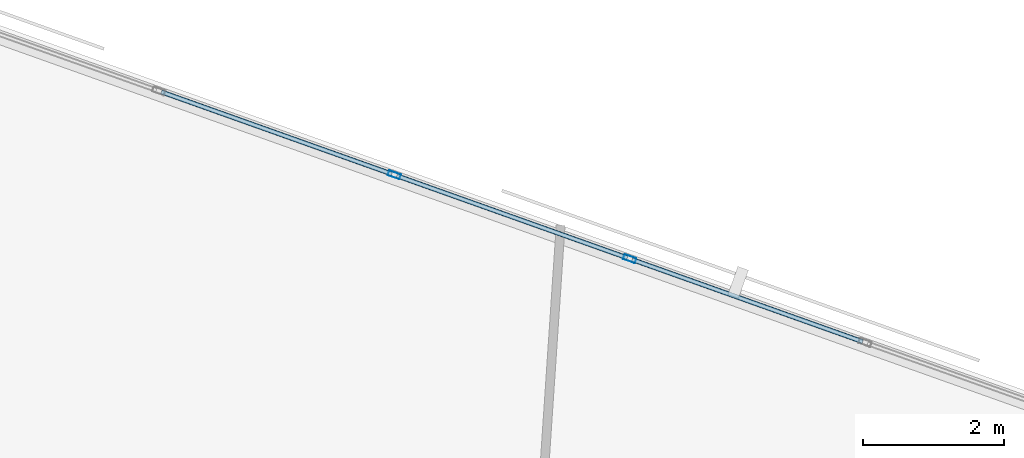
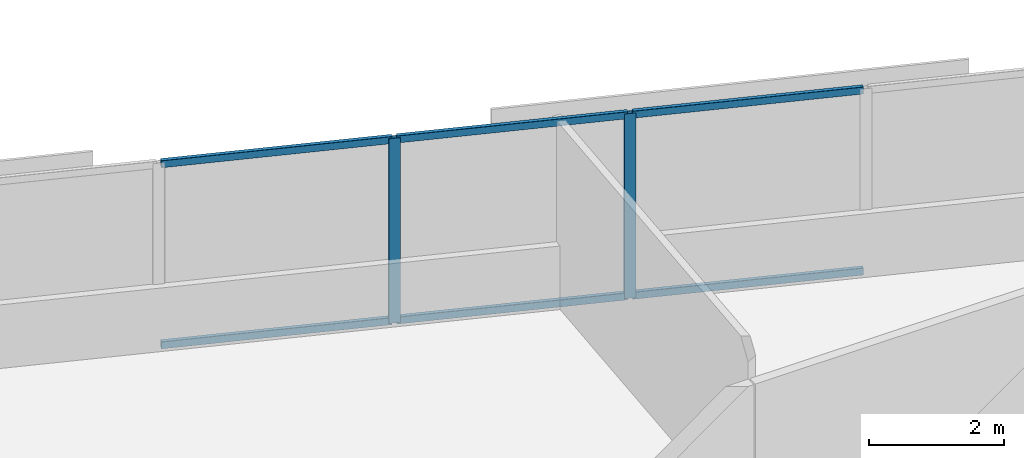
# One storey, part 8 of 16: 8 members, 1 element without a shape of its own.
"""IFC4 building model written with IfcOpenShell, lengths in metres."""

from ifc_helpers import new_model, si_unit, direction, frame, origin, origin_2d, place, context, subcontext, project, spatial, hollow_rectangle, extrude, material, material_profile, profile_set, type_object, element, aggregate, save


model = new_model("IFC4")

# Units and contexts
model_context = context("Model", 3, precision=1e-05, world=origin(), true_north=direction((0.0, 1.0)))
body_context = subcontext(model_context, "Body", "Model", "MODEL_VIEW")
ifc_project = project(units=[si_unit("LENGTHUNIT", "METRE"), si_unit("AREAUNIT", "SQUARE_METRE"), si_unit("VOLUMEUNIT", "CUBIC_METRE"), si_unit("PLANEANGLEUNIT", "RADIAN"), si_unit("MASSUNIT", "GRAM", prefix="KILO")], contexts=[model_context])

# Site, building, storey
site_placement = place(None, origin())
site = spatial("IfcSite", under=ifc_project, at=site_placement, CompositionType="ELEMENT")
building_placement = place(site_placement, origin())
building = spatial("IfcBuilding", under=site, at=building_placement, Name="Narakoshi Arena Tower", CompositionType="ELEMENT")
storey_placement = place(building_placement, frame((0.0, 0.0, 153.89990234375)))
storey = spatial("IfcBuildingStorey", under=building, at=storey_placement, Name="L41", CompositionType="ELEMENT", Elevation=153.89990234375)

# Curtain wall, members
ifc_material = material(Name="Anodised bronze aluminium 6063-T6", Category="aluminium")
curtain_wall_type = type_object("IfcCurtainWallType", Name="CW-HYP-MID", PredefinedType="NOTDEFINED", material=ifc_material)
curtain_wall_placement = place(storey_placement, origin())
curtain_wall = element("IfcCurtainWall", 1, at=curtain_wall_placement, inside=storey, type_object=curtain_wall_type, Name="L41 Folded Hypotenuse Curtain Wall 2-1", PredefinedType="NOTDEFINED")
ifc_material_profile_1 = material_profile(ifc_material, hollow_rectangle(XDim=0.074951171875, YDim=0.179931640625, WallThickness=0.00390625, OuterFilletRadius=0.0048828125, at=origin_2d()), Name="MUL180x75x4")
ifc_profile_set_1 = profile_set([ifc_material_profile_1], Name="Anodised bronze aluminium 6063-T6")
member_type_1 = type_object("IfcMemberType", Name="MEM-MUL-180", PredefinedType="MULLION", material=ifc_profile_set_1)
member_1_placement = place(storey_placement, frame((81.1259765625, 65.1083984375, 0.0), z_axis=(0.0, 0.0, 1.0), x_axis=(-0.335518297139, -0.94203368957, 0.0)))
member_1 = element("IfcMember", 2, at=member_1_placement, type_object=member_type_1, Name="CW-02 mullion 3", PredefinedType="MULLION", context=body_context, shape_type="SweptSolid", body=[
    extrude(hollow_rectangle(XDim=0.074951171875, YDim=0.179931640625, WallThickness=0.00390625, OuterFilletRadius=0.0048828125, at=origin_2d()), origin(), (0.0, 0.0, 1.0), 3.340087890625),
])
member_2_placement = place(storey_placement, frame((77.781494140625, 66.2998046875, 0.0), z_axis=(0.0, 0.0, 1.0), x_axis=(-0.335518297139, -0.94203368957, 0.0)))
member_2 = element("IfcMember", 3, at=member_2_placement, type_object=member_type_1, Name="CW-02 mullion 4", PredefinedType="MULLION", context=body_context, shape_type="SweptSolid", body=[
    extrude(hollow_rectangle(XDim=0.074951171875, YDim=0.179931640625, WallThickness=0.00390625, OuterFilletRadius=0.0048828125, at=origin_2d()), origin(), (0.0, 0.0, 1.0), 3.340087890625),
])
ifc_material_profile_2 = material_profile(ifc_material, hollow_rectangle(XDim=0.06494140625, YDim=0.1298828125, WallThickness=0.00390625, OuterFilletRadius=0.0048828125, at=origin_2d()), Name="TRN130x65x4")
ifc_profile_set_2 = profile_set([ifc_material_profile_2], Name="Anodised bronze aluminium 6063-T6")
member_type_2 = type_object("IfcMemberType", Name="MEM-TRN-130", PredefinedType="USERDEFINED", material=ifc_profile_set_2)
member_3_placement = place(storey_placement, frame((84.435302734375, 63.929931640625, 0.03271484375), z_axis=(-0.942037165195, 0.335508538477, 0.0), x_axis=(-0.335508538477, -0.942037165195, 0.0)))
member_3 = element("IfcMember", 4, at=member_3_placement, type_object=member_type_2, Name="CW-02 transom 2.1", ObjectType="TRANSOM", PredefinedType="USERDEFINED", context=body_context, shape_type="SweptSolid", body=[
    extrude(hollow_rectangle(XDim=0.06494140625, YDim=0.1298828125, WallThickness=0.00390625, OuterFilletRadius=0.0048828125, at=origin_2d()), origin(), (0.0, 0.0, 1.0), 3.475341796875),
])
member_4_placement = place(storey_placement, frame((84.435302734375, 63.929931640625, 3.3076171875), z_axis=(-0.942037165195, 0.335508538477, 0.0), x_axis=(-0.335508538477, -0.942037165195, 0.0)))
member_4 = element("IfcMember", 5, at=member_4_placement, type_object=member_type_2, Name="CW-02 transom 2.2", ObjectType="TRANSOM", PredefinedType="USERDEFINED", context=body_context, shape_type="SweptSolid", body=[
    extrude(hollow_rectangle(XDim=0.06494140625, YDim=0.1298828125, WallThickness=0.00390625, OuterFilletRadius=0.0048828125, at=origin_2d()), origin(), (0.0, 0.0, 1.0), 3.475341796875),
])
member_5_placement = place(storey_placement, frame((81.0908203125, 65.12109375, 0.03271484375), z_axis=(-0.942037165195, 0.335508538477, 0.0), x_axis=(-0.335508538477, -0.942037165195, 0.0)))
member_5 = element("IfcMember", 6, at=member_5_placement, type_object=member_type_2, Name="CW-02 transom 3.1", ObjectType="TRANSOM", PredefinedType="USERDEFINED", context=body_context, shape_type="SweptSolid", body=[
    extrude(hollow_rectangle(XDim=0.06494140625, YDim=0.1298828125, WallThickness=0.00390625, OuterFilletRadius=0.0048828125, at=origin_2d()), origin(), (0.0, 0.0, 1.0), 3.475341796875),
])
member_6_placement = place(storey_placement, frame((81.0908203125, 65.12109375, 3.3076171875), z_axis=(-0.942037165195, 0.335508538477, 0.0), x_axis=(-0.335508538477, -0.942037165195, 0.0)))
member_6 = element("IfcMember", 7, at=member_6_placement, type_object=member_type_2, Name="CW-02 transom 3.2", ObjectType="TRANSOM", PredefinedType="USERDEFINED", context=body_context, shape_type="SweptSolid", body=[
    extrude(hollow_rectangle(XDim=0.06494140625, YDim=0.1298828125, WallThickness=0.00390625, OuterFilletRadius=0.0048828125, at=origin_2d()), origin(), (0.0, 0.0, 1.0), 3.475341796875),
])
member_7_placement = place(storey_placement, frame((77.74609375, 66.312255859375, 0.03271484375), z_axis=(-0.942029256779, 0.335530742813, 0.0), x_axis=(-0.335530742813, -0.942029256779, 0.0)))
member_7 = element("IfcMember", 8, at=member_7_placement, type_object=member_type_2, Name="CW-02 transom 4.1", ObjectType="TRANSOM", PredefinedType="USERDEFINED", context=body_context, shape_type="SweptSolid", body=[
    extrude(hollow_rectangle(XDim=0.06494140625, YDim=0.1298828125, WallThickness=0.00390625, OuterFilletRadius=0.0048828125, at=origin_2d()), origin(), (0.0, 0.0, 1.0), 3.47509765625),
])
member_8_placement = place(storey_placement, frame((77.74609375, 66.312255859375, 3.3076171875), z_axis=(-0.942029256779, 0.335530742813, 0.0), x_axis=(-0.335530742813, -0.942029256779, 0.0)))
member_8 = element("IfcMember", 9, at=member_8_placement, type_object=member_type_2, Name="CW-02 transom 4.2", ObjectType="TRANSOM", PredefinedType="USERDEFINED", context=body_context, shape_type="SweptSolid", body=[
    extrude(hollow_rectangle(XDim=0.06494140625, YDim=0.1298828125, WallThickness=0.00390625, OuterFilletRadius=0.0048828125, at=origin_2d()), origin(), (0.0, 0.0, 1.0), 3.47509765625),
])
aggregate(curtain_wall, [member_1, member_2, member_3, member_4, member_5, member_6, member_7, member_8])

save(model, "model.ifc")
